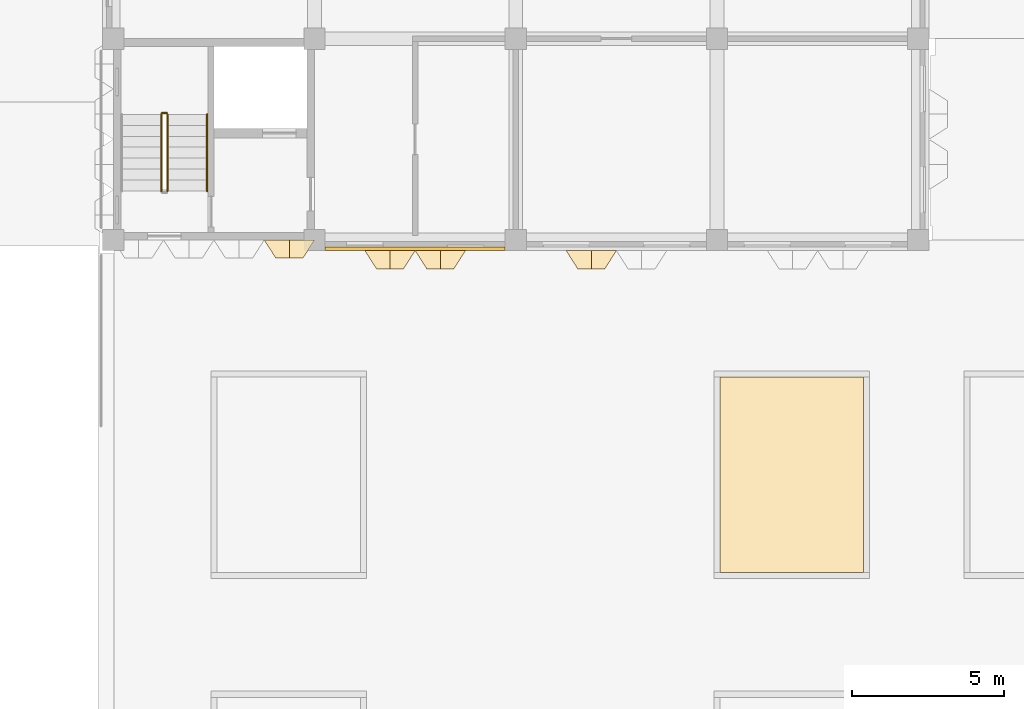
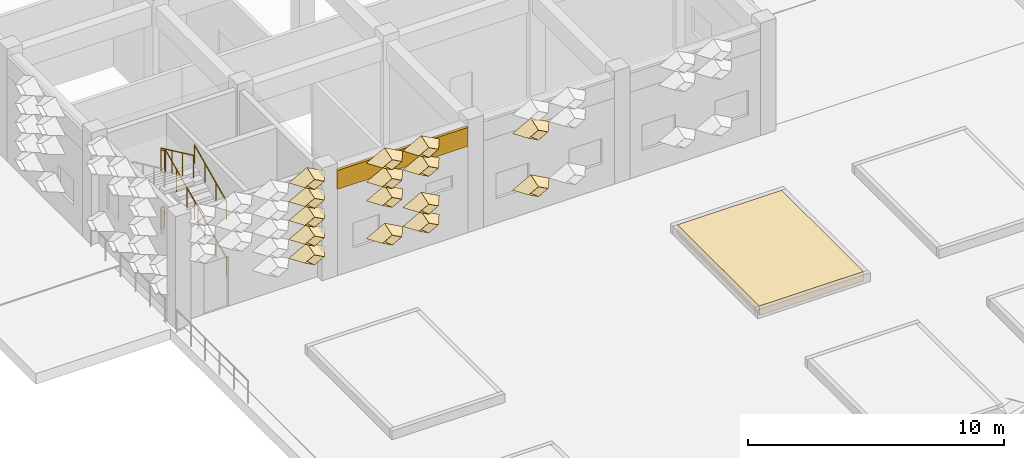
# One storey, part 56 of 85: 17 coverings, 6 railings.
"""IFC4 building model written with IfcOpenShell, lengths in metres."""

from ifc_helpers import new_model, entity, si_unit, direction, frame, frame_2d, origin, origin_2d, place, context, subcontext, project, spatial, polyline, rectangle, circle, outline, extrude, material, layer, layer_set, type_object, element, save


model = new_model("IFC4")

# Units and contexts
model_context = context("Model", 3, precision=1e-05, world=origin(), true_north=direction((0.0, 1.0)))
body_context = subcontext(model_context, "Body", "Model", "MODEL_VIEW")
ifc_project = project(units=[si_unit("LENGTHUNIT", "METRE"), si_unit("AREAUNIT", "SQUARE_METRE"), si_unit("VOLUMEUNIT", "CUBIC_METRE"), si_unit("PLANEANGLEUNIT", "RADIAN"), si_unit("MASSUNIT", "GRAM", prefix="KILO")], contexts=[model_context])

# Site, building, storey
site_placement = place(None, origin())
site = spatial("IfcSite", under=ifc_project, at=site_placement, CompositionType="ELEMENT")
building_placement = place(site_placement, origin())
building = spatial("IfcBuilding", under=site, at=building_placement, Name="Lantern Court Research Institute", CompositionType="ELEMENT")
storey_placement = place(building_placement, origin())
storey = spatial("IfcBuildingStorey", under=building, at=storey_placement, Name="L00", CompositionType="ELEMENT", Elevation=0.0)

# Coverings
ifc_material_1 = material(Name="Aluminium composite panel with mineral wool insulation", Category="aluminium")
ifc_layer_1 = layer(ifc_material_1, 0.125)
ifc_layer_set_1 = layer_set([ifc_layer_1], Name="Aluminium composite panel with mineral wool insulation")
covering_type_1 = type_object("IfcCoveringType", Name="Edge fascia panel 125 aluminium faced", PredefinedType="CLADDING", material=ifc_layer_set_1)
covering_1_placement = place(storey_placement, frame((12.85009765625, 49.21240234375, 4.14990234375), z_axis=(0.0, 0.0, 1.0), x_axis=(-1.0, 0.0, 0.0)))
element("IfcCovering", 1, at=covering_1_placement, inside=storey, type_object=covering_type_1, Name="Edge fascia V3S L00 01", PredefinedType="CLADDING", context=body_context, shape_type="SweptSolid", body=[
    extrude(rectangle(XDim=5.900146484375, YDim=0.125, at=frame_2d((2.9501953125, 0.0))), origin(), (0.0, 0.0, 1.0), 0.900146484375),
])
ifc_material_2 = material(Name="Anodised aluminium", Category="aluminium")
ifc_layer_2 = layer(ifc_material_2, 0.01611328125)
ifc_layer_set_2 = layer_set([ifc_layer_2], Name="Anodised aluminium")
covering_type_2 = type_object("IfcCoveringType", Name="Fin cassette 1650 x 900 x 600 aluminium", PredefinedType="CLADDING", material=ifc_layer_set_2)
covering_2_placement = place(storey_placement, frame((5.77490234375, 49.5, 1.35009765625), z_axis=(0.0, -1.0, 0.0), x_axis=(1.0, 0.0, 0.0)))
cartesian_point_1 = entity("IfcCartesianPoint", [0.824951171875, 0.0])
cartesian_point_2 = entity("IfcCartesianPoint", [0.79150390625, 0.0])
cartesian_point_3 = entity("IfcCartesianPoint", [0.44189453125, 0.0])
cartesian_point_4 = entity("IfcCartesianPoint", [0.43359375, 0.0])
element("IfcCovering", 2, at=covering_2_placement, inside=storey, type_object=covering_type_2, Name="Fin cassette V3S-L00 2.4", PredefinedType="CLADDING", context=body_context, shape_type="SweptSolid", body=[
    entity("IfcExtrudedAreaSolidTapered", entity("IfcArbitraryProfileDefWithVoids", "AREA", None, entity("IfcPolyline", [cartesian_point_1, entity("IfcCartesianPoint", [0.0, 0.449951171875]), entity("IfcCartesianPoint", [-0.824951171875, 0.0]), entity("IfcCartesianPoint", [0.0, -0.449951171875]), cartesian_point_1]), [entity("IfcPolyline", [cartesian_point_2, entity("IfcCartesianPoint", [0.0, 0.431884765625]), entity("IfcCartesianPoint", [-0.79150390625, 0.0]), entity("IfcCartesianPoint", [0.0, -0.431884765625]), cartesian_point_2])]), entity("IfcAxis2Placement3D", entity("IfcCartesianPoint", [0.0, 0.0, 0.0])), entity("IfcDirection", [0.0, 0.0, 1.0]), 0.60009765625, entity("IfcArbitraryProfileDefWithVoids", "AREA", None, entity("IfcPolyline", [cartesian_point_3, entity("IfcCartesianPoint", [0.0, 0.240966796875]), entity("IfcCartesianPoint", [-0.44189453125, 0.0]), entity("IfcCartesianPoint", [0.0, -0.240966796875]), cartesian_point_3]), [entity("IfcPolyline", [cartesian_point_4, entity("IfcCartesianPoint", [0.0, 0.236572265625]), entity("IfcCartesianPoint", [-0.43359375, 0.0]), entity("IfcCartesianPoint", [0.0, -0.236572265625]), cartesian_point_4])])),
])
covering_3_placement = place(storey_placement, frame((5.77490234375, 49.5, 2.25), z_axis=(0.0, -1.0, 0.0), x_axis=(1.0, 0.0, 0.0)))
cartesian_point_5 = entity("IfcCartesianPoint", [0.824951171875, 0.0])
cartesian_point_6 = entity("IfcCartesianPoint", [0.79150390625, 0.0])
cartesian_point_7 = entity("IfcCartesianPoint", [0.44189453125, 0.0])
cartesian_point_8 = entity("IfcCartesianPoint", [0.43359375, 0.0])
element("IfcCovering", 3, at=covering_3_placement, inside=storey, type_object=covering_type_2, Name="Fin cassette V3S-L00 3.4", PredefinedType="CLADDING", context=body_context, shape_type="SweptSolid", body=[
    entity("IfcExtrudedAreaSolidTapered", entity("IfcArbitraryProfileDefWithVoids", "AREA", None, entity("IfcPolyline", [cartesian_point_5, entity("IfcCartesianPoint", [0.0, 0.449951171875]), entity("IfcCartesianPoint", [-0.824951171875, 0.0]), entity("IfcCartesianPoint", [0.0, -0.449951171875]), cartesian_point_5]), [entity("IfcPolyline", [cartesian_point_6, entity("IfcCartesianPoint", [0.0, 0.431884765625]), entity("IfcCartesianPoint", [-0.79150390625, 0.0]), entity("IfcCartesianPoint", [0.0, -0.431884765625]), cartesian_point_6])]), entity("IfcAxis2Placement3D", entity("IfcCartesianPoint", [0.0, 0.0, 0.0])), entity("IfcDirection", [0.0, 0.0, 1.0]), 0.60009765625, entity("IfcArbitraryProfileDefWithVoids", "AREA", None, entity("IfcPolyline", [cartesian_point_7, entity("IfcCartesianPoint", [0.0, 0.240966796875]), entity("IfcCartesianPoint", [-0.44189453125, 0.0]), entity("IfcCartesianPoint", [0.0, -0.240966796875]), cartesian_point_7]), [entity("IfcPolyline", [cartesian_point_8, entity("IfcCartesianPoint", [0.0, 0.236572265625]), entity("IfcCartesianPoint", [-0.43359375, 0.0]), entity("IfcCartesianPoint", [0.0, -0.236572265625]), cartesian_point_8])])),
])
covering_4_placement = place(storey_placement, frame((5.77490234375, 49.5, 3.14990234375), z_axis=(0.0, -1.0, 0.0), x_axis=(1.0, 0.0, 0.0)))
cartesian_point_9 = entity("IfcCartesianPoint", [0.824951171875, 0.0])
cartesian_point_10 = entity("IfcCartesianPoint", [0.79150390625, 0.0])
cartesian_point_11 = entity("IfcCartesianPoint", [0.44189453125, 0.0])
cartesian_point_12 = entity("IfcCartesianPoint", [0.43359375, 0.0])
element("IfcCovering", 4, at=covering_4_placement, inside=storey, type_object=covering_type_2, Name="Fin cassette V3S-L00 4.4", PredefinedType="CLADDING", context=body_context, shape_type="SweptSolid", body=[
    entity("IfcExtrudedAreaSolidTapered", entity("IfcArbitraryProfileDefWithVoids", "AREA", None, entity("IfcPolyline", [cartesian_point_9, entity("IfcCartesianPoint", [0.0, 0.449951171875]), entity("IfcCartesianPoint", [-0.824951171875, 0.0]), entity("IfcCartesianPoint", [0.0, -0.449951171875]), cartesian_point_9]), [entity("IfcPolyline", [cartesian_point_10, entity("IfcCartesianPoint", [0.0, 0.431884765625]), entity("IfcCartesianPoint", [-0.79150390625, 0.0]), entity("IfcCartesianPoint", [0.0, -0.431884765625]), cartesian_point_10])]), entity("IfcAxis2Placement3D", entity("IfcCartesianPoint", [0.0, 0.0, 0.0])), entity("IfcDirection", [0.0, 0.0, 1.0]), 0.60009765625, entity("IfcArbitraryProfileDefWithVoids", "AREA", None, entity("IfcPolyline", [cartesian_point_11, entity("IfcCartesianPoint", [0.0, 0.240966796875]), entity("IfcCartesianPoint", [-0.44189453125, 0.0]), entity("IfcCartesianPoint", [0.0, -0.240966796875]), cartesian_point_11]), [entity("IfcPolyline", [cartesian_point_12, entity("IfcCartesianPoint", [0.0, 0.236572265625]), entity("IfcCartesianPoint", [-0.43359375, 0.0]), entity("IfcCartesianPoint", [0.0, -0.236572265625]), cartesian_point_12])])),
])
covering_5_placement = place(storey_placement, frame((5.77490234375, 49.5, 4.050048828125), z_axis=(0.0, -1.0, 0.0), x_axis=(1.0, 0.0, 0.0)))
cartesian_point_13 = entity("IfcCartesianPoint", [0.824951171875, 0.0])
cartesian_point_14 = entity("IfcCartesianPoint", [0.79150390625, 0.0])
cartesian_point_15 = entity("IfcCartesianPoint", [0.44189453125, 0.0])
cartesian_point_16 = entity("IfcCartesianPoint", [0.43359375, 0.0])
element("IfcCovering", 5, at=covering_5_placement, inside=storey, type_object=covering_type_2, Name="Fin cassette V3S-L00 5.4", PredefinedType="CLADDING", context=body_context, shape_type="SweptSolid", body=[
    entity("IfcExtrudedAreaSolidTapered", entity("IfcArbitraryProfileDefWithVoids", "AREA", None, entity("IfcPolyline", [cartesian_point_13, entity("IfcCartesianPoint", [0.0, 0.449951171875]), entity("IfcCartesianPoint", [-0.824951171875, 0.0]), entity("IfcCartesianPoint", [0.0, -0.449951171875]), cartesian_point_13]), [entity("IfcPolyline", [cartesian_point_14, entity("IfcCartesianPoint", [0.0, 0.431884765625]), entity("IfcCartesianPoint", [-0.79150390625, 0.0]), entity("IfcCartesianPoint", [0.0, -0.431884765625]), cartesian_point_14])]), entity("IfcAxis2Placement3D", entity("IfcCartesianPoint", [0.0, 0.0, 0.0])), entity("IfcDirection", [0.0, 0.0, 1.0]), 0.60009765625, entity("IfcArbitraryProfileDefWithVoids", "AREA", None, entity("IfcPolyline", [cartesian_point_15, entity("IfcCartesianPoint", [0.0, 0.240966796875]), entity("IfcCartesianPoint", [-0.44189453125, 0.0]), entity("IfcCartesianPoint", [0.0, -0.240966796875]), cartesian_point_15]), [entity("IfcPolyline", [cartesian_point_16, entity("IfcCartesianPoint", [0.0, 0.236572265625]), entity("IfcCartesianPoint", [-0.43359375, 0.0]), entity("IfcCartesianPoint", [0.0, -0.236572265625]), cartesian_point_16])])),
])
covering_6_placement = place(storey_placement, frame((5.77490234375, 49.5, 4.949951171875), z_axis=(0.0, -1.0, 0.0), x_axis=(1.0, 0.0, 0.0)))
cartesian_point_17 = entity("IfcCartesianPoint", [0.824951171875, 0.0])
cartesian_point_18 = entity("IfcCartesianPoint", [0.79150390625, 0.0])
cartesian_point_19 = entity("IfcCartesianPoint", [0.44189453125, 0.0])
cartesian_point_20 = entity("IfcCartesianPoint", [0.43359375, 0.0])
element("IfcCovering", 6, at=covering_6_placement, inside=storey, type_object=covering_type_2, Name="Fin cassette V3S-L00 6.4", PredefinedType="CLADDING", context=body_context, shape_type="SweptSolid", body=[
    entity("IfcExtrudedAreaSolidTapered", entity("IfcArbitraryProfileDefWithVoids", "AREA", None, entity("IfcPolyline", [cartesian_point_17, entity("IfcCartesianPoint", [0.0, 0.449951171875]), entity("IfcCartesianPoint", [-0.824951171875, 0.0]), entity("IfcCartesianPoint", [0.0, -0.449951171875]), cartesian_point_17]), [entity("IfcPolyline", [cartesian_point_18, entity("IfcCartesianPoint", [0.0, 0.431884765625]), entity("IfcCartesianPoint", [-0.79150390625, 0.0]), entity("IfcCartesianPoint", [0.0, -0.431884765625]), cartesian_point_18])]), entity("IfcAxis2Placement3D", entity("IfcCartesianPoint", [0.0, 0.0, 0.0])), entity("IfcDirection", [0.0, 0.0, 1.0]), 0.60009765625, entity("IfcArbitraryProfileDefWithVoids", "AREA", None, entity("IfcPolyline", [cartesian_point_19, entity("IfcCartesianPoint", [0.0, 0.240966796875]), entity("IfcCartesianPoint", [-0.44189453125, 0.0]), entity("IfcCartesianPoint", [0.0, -0.240966796875]), cartesian_point_19]), [entity("IfcPolyline", [cartesian_point_20, entity("IfcCartesianPoint", [0.0, 0.236572265625]), entity("IfcCartesianPoint", [-0.43359375, 0.0]), entity("IfcCartesianPoint", [0.0, -0.236572265625]), cartesian_point_20])])),
])
covering_7_placement = place(storey_placement, frame((9.074951171875, 49.14990234375, 1.35009765625), z_axis=(0.0, -1.0, 0.0), x_axis=(1.0, 0.0, 0.0)))
cartesian_point_21 = entity("IfcCartesianPoint", [0.824951171875, 0.0])
cartesian_point_22 = entity("IfcCartesianPoint", [0.79150390625, 0.0])
cartesian_point_23 = entity("IfcCartesianPoint", [0.44189453125, 0.0])
cartesian_point_24 = entity("IfcCartesianPoint", [0.43359375, 0.0])
element("IfcCovering", 7, at=covering_7_placement, inside=storey, type_object=covering_type_2, Name="Fin cassette V3S-L00 2.6", PredefinedType="CLADDING", context=body_context, shape_type="SweptSolid", body=[
    entity("IfcExtrudedAreaSolidTapered", entity("IfcArbitraryProfileDefWithVoids", "AREA", None, entity("IfcPolyline", [cartesian_point_21, entity("IfcCartesianPoint", [0.0, 0.449951171875]), entity("IfcCartesianPoint", [-0.824951171875, 0.0]), entity("IfcCartesianPoint", [0.0, -0.449951171875]), cartesian_point_21]), [entity("IfcPolyline", [cartesian_point_22, entity("IfcCartesianPoint", [0.0, 0.431884765625]), entity("IfcCartesianPoint", [-0.79150390625, 0.0]), entity("IfcCartesianPoint", [0.0, -0.431884765625]), cartesian_point_22])]), entity("IfcAxis2Placement3D", entity("IfcCartesianPoint", [0.0, 0.0, 0.0])), entity("IfcDirection", [0.0, 0.0, 1.0]), 0.60009765625, entity("IfcArbitraryProfileDefWithVoids", "AREA", None, entity("IfcPolyline", [cartesian_point_23, entity("IfcCartesianPoint", [0.0, 0.240966796875]), entity("IfcCartesianPoint", [-0.44189453125, 0.0]), entity("IfcCartesianPoint", [0.0, -0.240966796875]), cartesian_point_23]), [entity("IfcPolyline", [cartesian_point_24, entity("IfcCartesianPoint", [0.0, 0.236572265625]), entity("IfcCartesianPoint", [-0.43359375, 0.0]), entity("IfcCartesianPoint", [0.0, -0.236572265625]), cartesian_point_24])])),
])
covering_8_placement = place(storey_placement, frame((10.72509765625, 49.14990234375, 1.35009765625), z_axis=(0.0, -1.0, 0.0), x_axis=(1.0, 0.0, 0.0)))
cartesian_point_25 = entity("IfcCartesianPoint", [0.824951171875, 0.0])
cartesian_point_26 = entity("IfcCartesianPoint", [0.79150390625, 0.0])
cartesian_point_27 = entity("IfcCartesianPoint", [0.44189453125, 0.0])
cartesian_point_28 = entity("IfcCartesianPoint", [0.43359375, 0.0])
element("IfcCovering", 8, at=covering_8_placement, inside=storey, type_object=covering_type_2, Name="Fin cassette V3S-L00 2.7", PredefinedType="CLADDING", context=body_context, shape_type="SweptSolid", body=[
    entity("IfcExtrudedAreaSolidTapered", entity("IfcArbitraryProfileDefWithVoids", "AREA", None, entity("IfcPolyline", [cartesian_point_25, entity("IfcCartesianPoint", [0.0, 0.449951171875]), entity("IfcCartesianPoint", [-0.824951171875, 0.0]), entity("IfcCartesianPoint", [0.0, -0.449951171875]), cartesian_point_25]), [entity("IfcPolyline", [cartesian_point_26, entity("IfcCartesianPoint", [0.0, 0.431884765625]), entity("IfcCartesianPoint", [-0.79150390625, 0.0]), entity("IfcCartesianPoint", [0.0, -0.431884765625]), cartesian_point_26])]), entity("IfcAxis2Placement3D", entity("IfcCartesianPoint", [0.0, 0.0, 0.0])), entity("IfcDirection", [0.0, 0.0, 1.0]), 0.60009765625, entity("IfcArbitraryProfileDefWithVoids", "AREA", None, entity("IfcPolyline", [cartesian_point_27, entity("IfcCartesianPoint", [0.0, 0.240966796875]), entity("IfcCartesianPoint", [-0.44189453125, 0.0]), entity("IfcCartesianPoint", [0.0, -0.240966796875]), cartesian_point_27]), [entity("IfcPolyline", [cartesian_point_28, entity("IfcCartesianPoint", [0.0, 0.236572265625]), entity("IfcCartesianPoint", [-0.43359375, 0.0]), entity("IfcCartesianPoint", [0.0, -0.236572265625]), cartesian_point_28])])),
])
covering_9_placement = place(storey_placement, frame((15.675048828125, 49.14990234375, 1.35009765625), z_axis=(0.0, -1.0, 0.0), x_axis=(1.0, 0.0, 0.0)))
cartesian_point_29 = entity("IfcCartesianPoint", [0.824951171875, 0.0])
cartesian_point_30 = entity("IfcCartesianPoint", [0.79150390625, 0.0])
cartesian_point_31 = entity("IfcCartesianPoint", [0.44189453125, 0.0])
cartesian_point_32 = entity("IfcCartesianPoint", [0.43359375, 0.0])
element("IfcCovering", 9, at=covering_9_placement, inside=storey, type_object=covering_type_2, Name="Fin cassette V3S-L00 2.10", PredefinedType="CLADDING", context=body_context, shape_type="SweptSolid", body=[
    entity("IfcExtrudedAreaSolidTapered", entity("IfcArbitraryProfileDefWithVoids", "AREA", None, entity("IfcPolyline", [cartesian_point_29, entity("IfcCartesianPoint", [0.0, 0.449951171875]), entity("IfcCartesianPoint", [-0.824951171875, 0.0]), entity("IfcCartesianPoint", [0.0, -0.449951171875]), cartesian_point_29]), [entity("IfcPolyline", [cartesian_point_30, entity("IfcCartesianPoint", [0.0, 0.431884765625]), entity("IfcCartesianPoint", [-0.79150390625, 0.0]), entity("IfcCartesianPoint", [0.0, -0.431884765625]), cartesian_point_30])]), entity("IfcAxis2Placement3D", entity("IfcCartesianPoint", [0.0, 0.0, 0.0])), entity("IfcDirection", [0.0, 0.0, 1.0]), 0.60009765625, entity("IfcArbitraryProfileDefWithVoids", "AREA", None, entity("IfcPolyline", [cartesian_point_31, entity("IfcCartesianPoint", [0.0, 0.240966796875]), entity("IfcCartesianPoint", [-0.44189453125, 0.0]), entity("IfcCartesianPoint", [0.0, -0.240966796875]), cartesian_point_31]), [entity("IfcPolyline", [cartesian_point_32, entity("IfcCartesianPoint", [0.0, 0.236572265625]), entity("IfcCartesianPoint", [-0.43359375, 0.0]), entity("IfcCartesianPoint", [0.0, -0.236572265625]), cartesian_point_32])])),
])
covering_10_placement = place(storey_placement, frame((10.72509765625, 49.14990234375, 2.25), z_axis=(0.0, -1.0, 0.0), x_axis=(1.0, 0.0, 0.0)))
cartesian_point_33 = entity("IfcCartesianPoint", [0.824951171875, 0.0])
cartesian_point_34 = entity("IfcCartesianPoint", [0.79150390625, 0.0])
cartesian_point_35 = entity("IfcCartesianPoint", [0.44189453125, 0.0])
cartesian_point_36 = entity("IfcCartesianPoint", [0.43359375, 0.0])
element("IfcCovering", 10, at=covering_10_placement, inside=storey, type_object=covering_type_2, Name="Fin cassette V3S-L00 3.7", PredefinedType="CLADDING", context=body_context, shape_type="SweptSolid", body=[
    entity("IfcExtrudedAreaSolidTapered", entity("IfcArbitraryProfileDefWithVoids", "AREA", None, entity("IfcPolyline", [cartesian_point_33, entity("IfcCartesianPoint", [0.0, 0.449951171875]), entity("IfcCartesianPoint", [-0.824951171875, 0.0]), entity("IfcCartesianPoint", [0.0, -0.449951171875]), cartesian_point_33]), [entity("IfcPolyline", [cartesian_point_34, entity("IfcCartesianPoint", [0.0, 0.431884765625]), entity("IfcCartesianPoint", [-0.79150390625, 0.0]), entity("IfcCartesianPoint", [0.0, -0.431884765625]), cartesian_point_34])]), entity("IfcAxis2Placement3D", entity("IfcCartesianPoint", [0.0, 0.0, 0.0])), entity("IfcDirection", [0.0, 0.0, 1.0]), 0.60009765625, entity("IfcArbitraryProfileDefWithVoids", "AREA", None, entity("IfcPolyline", [cartesian_point_35, entity("IfcCartesianPoint", [0.0, 0.240966796875]), entity("IfcCartesianPoint", [-0.44189453125, 0.0]), entity("IfcCartesianPoint", [0.0, -0.240966796875]), cartesian_point_35]), [entity("IfcPolyline", [cartesian_point_36, entity("IfcCartesianPoint", [0.0, 0.236572265625]), entity("IfcCartesianPoint", [-0.43359375, 0.0]), entity("IfcCartesianPoint", [0.0, -0.236572265625]), cartesian_point_36])])),
])
covering_11_placement = place(storey_placement, frame((9.074951171875, 49.14990234375, 3.14990234375), z_axis=(0.0, -1.0, 0.0), x_axis=(1.0, 0.0, 0.0)))
cartesian_point_37 = entity("IfcCartesianPoint", [0.824951171875, 0.0])
cartesian_point_38 = entity("IfcCartesianPoint", [0.79150390625, 0.0])
cartesian_point_39 = entity("IfcCartesianPoint", [0.44189453125, 0.0])
cartesian_point_40 = entity("IfcCartesianPoint", [0.43359375, 0.0])
element("IfcCovering", 11, at=covering_11_placement, inside=storey, type_object=covering_type_2, Name="Fin cassette V3S-L00 4.6", PredefinedType="CLADDING", context=body_context, shape_type="SweptSolid", body=[
    entity("IfcExtrudedAreaSolidTapered", entity("IfcArbitraryProfileDefWithVoids", "AREA", None, entity("IfcPolyline", [cartesian_point_37, entity("IfcCartesianPoint", [0.0, 0.449951171875]), entity("IfcCartesianPoint", [-0.824951171875, 0.0]), entity("IfcCartesianPoint", [0.0, -0.449951171875]), cartesian_point_37]), [entity("IfcPolyline", [cartesian_point_38, entity("IfcCartesianPoint", [0.0, 0.431884765625]), entity("IfcCartesianPoint", [-0.79150390625, 0.0]), entity("IfcCartesianPoint", [0.0, -0.431884765625]), cartesian_point_38])]), entity("IfcAxis2Placement3D", entity("IfcCartesianPoint", [0.0, 0.0, 0.0])), entity("IfcDirection", [0.0, 0.0, 1.0]), 0.60009765625, entity("IfcArbitraryProfileDefWithVoids", "AREA", None, entity("IfcPolyline", [cartesian_point_39, entity("IfcCartesianPoint", [0.0, 0.240966796875]), entity("IfcCartesianPoint", [-0.44189453125, 0.0]), entity("IfcCartesianPoint", [0.0, -0.240966796875]), cartesian_point_39]), [entity("IfcPolyline", [cartesian_point_40, entity("IfcCartesianPoint", [0.0, 0.236572265625]), entity("IfcCartesianPoint", [-0.43359375, 0.0]), entity("IfcCartesianPoint", [0.0, -0.236572265625]), cartesian_point_40])])),
])
covering_12_placement = place(storey_placement, frame((9.074951171875, 49.14990234375, 4.050048828125), z_axis=(0.0, -1.0, 0.0), x_axis=(1.0, 0.0, 0.0)))
cartesian_point_41 = entity("IfcCartesianPoint", [0.824951171875, 0.0])
cartesian_point_42 = entity("IfcCartesianPoint", [0.79150390625, 0.0])
cartesian_point_43 = entity("IfcCartesianPoint", [0.44189453125, 0.0])
cartesian_point_44 = entity("IfcCartesianPoint", [0.43359375, 0.0])
element("IfcCovering", 12, at=covering_12_placement, inside=storey, type_object=covering_type_2, Name="Fin cassette V3S-L00 5.6", PredefinedType="CLADDING", context=body_context, shape_type="SweptSolid", body=[
    entity("IfcExtrudedAreaSolidTapered", entity("IfcArbitraryProfileDefWithVoids", "AREA", None, entity("IfcPolyline", [cartesian_point_41, entity("IfcCartesianPoint", [0.0, 0.449951171875]), entity("IfcCartesianPoint", [-0.824951171875, 0.0]), entity("IfcCartesianPoint", [0.0, -0.449951171875]), cartesian_point_41]), [entity("IfcPolyline", [cartesian_point_42, entity("IfcCartesianPoint", [0.0, 0.431884765625]), entity("IfcCartesianPoint", [-0.79150390625, 0.0]), entity("IfcCartesianPoint", [0.0, -0.431884765625]), cartesian_point_42])]), entity("IfcAxis2Placement3D", entity("IfcCartesianPoint", [0.0, 0.0, 0.0])), entity("IfcDirection", [0.0, 0.0, 1.0]), 0.60009765625, entity("IfcArbitraryProfileDefWithVoids", "AREA", None, entity("IfcPolyline", [cartesian_point_43, entity("IfcCartesianPoint", [0.0, 0.240966796875]), entity("IfcCartesianPoint", [-0.44189453125, 0.0]), entity("IfcCartesianPoint", [0.0, -0.240966796875]), cartesian_point_43]), [entity("IfcPolyline", [cartesian_point_44, entity("IfcCartesianPoint", [0.0, 0.236572265625]), entity("IfcCartesianPoint", [-0.43359375, 0.0]), entity("IfcCartesianPoint", [0.0, -0.236572265625]), cartesian_point_44])])),
])
covering_13_placement = place(storey_placement, frame((10.72509765625, 49.14990234375, 4.050048828125), z_axis=(0.0, -1.0, 0.0), x_axis=(1.0, 0.0, 0.0)))
cartesian_point_45 = entity("IfcCartesianPoint", [0.824951171875, 0.0])
cartesian_point_46 = entity("IfcCartesianPoint", [0.79150390625, 0.0])
cartesian_point_47 = entity("IfcCartesianPoint", [0.44189453125, 0.0])
cartesian_point_48 = entity("IfcCartesianPoint", [0.43359375, 0.0])
element("IfcCovering", 13, at=covering_13_placement, inside=storey, type_object=covering_type_2, Name="Fin cassette V3S-L00 5.7", PredefinedType="CLADDING", context=body_context, shape_type="SweptSolid", body=[
    entity("IfcExtrudedAreaSolidTapered", entity("IfcArbitraryProfileDefWithVoids", "AREA", None, entity("IfcPolyline", [cartesian_point_45, entity("IfcCartesianPoint", [0.0, 0.449951171875]), entity("IfcCartesianPoint", [-0.824951171875, 0.0]), entity("IfcCartesianPoint", [0.0, -0.449951171875]), cartesian_point_45]), [entity("IfcPolyline", [cartesian_point_46, entity("IfcCartesianPoint", [0.0, 0.431884765625]), entity("IfcCartesianPoint", [-0.79150390625, 0.0]), entity("IfcCartesianPoint", [0.0, -0.431884765625]), cartesian_point_46])]), entity("IfcAxis2Placement3D", entity("IfcCartesianPoint", [0.0, 0.0, 0.0])), entity("IfcDirection", [0.0, 0.0, 1.0]), 0.60009765625, entity("IfcArbitraryProfileDefWithVoids", "AREA", None, entity("IfcPolyline", [cartesian_point_47, entity("IfcCartesianPoint", [0.0, 0.240966796875]), entity("IfcCartesianPoint", [-0.44189453125, 0.0]), entity("IfcCartesianPoint", [0.0, -0.240966796875]), cartesian_point_47]), [entity("IfcPolyline", [cartesian_point_48, entity("IfcCartesianPoint", [0.0, 0.236572265625]), entity("IfcCartesianPoint", [-0.43359375, 0.0]), entity("IfcCartesianPoint", [0.0, -0.236572265625]), cartesian_point_48])])),
])
covering_14_placement = place(storey_placement, frame((15.675048828125, 49.14990234375, 4.050048828125), z_axis=(0.0, -1.0, 0.0), x_axis=(1.0, 0.0, 0.0)))
cartesian_point_49 = entity("IfcCartesianPoint", [0.824951171875, 0.0])
cartesian_point_50 = entity("IfcCartesianPoint", [0.79150390625, 0.0])
cartesian_point_51 = entity("IfcCartesianPoint", [0.44189453125, 0.0])
cartesian_point_52 = entity("IfcCartesianPoint", [0.43359375, 0.0])
element("IfcCovering", 14, at=covering_14_placement, inside=storey, type_object=covering_type_2, Name="Fin cassette V3S-L00 5.10", PredefinedType="CLADDING", context=body_context, shape_type="SweptSolid", body=[
    entity("IfcExtrudedAreaSolidTapered", entity("IfcArbitraryProfileDefWithVoids", "AREA", None, entity("IfcPolyline", [cartesian_point_49, entity("IfcCartesianPoint", [0.0, 0.449951171875]), entity("IfcCartesianPoint", [-0.824951171875, 0.0]), entity("IfcCartesianPoint", [0.0, -0.449951171875]), cartesian_point_49]), [entity("IfcPolyline", [cartesian_point_50, entity("IfcCartesianPoint", [0.0, 0.431884765625]), entity("IfcCartesianPoint", [-0.79150390625, 0.0]), entity("IfcCartesianPoint", [0.0, -0.431884765625]), cartesian_point_50])]), entity("IfcAxis2Placement3D", entity("IfcCartesianPoint", [0.0, 0.0, 0.0])), entity("IfcDirection", [0.0, 0.0, 1.0]), 0.60009765625, entity("IfcArbitraryProfileDefWithVoids", "AREA", None, entity("IfcPolyline", [cartesian_point_51, entity("IfcCartesianPoint", [0.0, 0.240966796875]), entity("IfcCartesianPoint", [-0.44189453125, 0.0]), entity("IfcCartesianPoint", [0.0, -0.240966796875]), cartesian_point_51]), [entity("IfcPolyline", [cartesian_point_52, entity("IfcCartesianPoint", [0.0, 0.236572265625]), entity("IfcCartesianPoint", [-0.43359375, 0.0]), entity("IfcCartesianPoint", [0.0, -0.236572265625]), cartesian_point_52])])),
])
covering_15_placement = place(storey_placement, frame((9.074951171875, 49.14990234375, 4.949951171875), z_axis=(0.0, -1.0, 0.0), x_axis=(1.0, 0.0, 0.0)))
cartesian_point_53 = entity("IfcCartesianPoint", [0.824951171875, 0.0])
cartesian_point_54 = entity("IfcCartesianPoint", [0.79150390625, 0.0])
cartesian_point_55 = entity("IfcCartesianPoint", [0.44189453125, 0.0])
cartesian_point_56 = entity("IfcCartesianPoint", [0.43359375, 0.0])
element("IfcCovering", 15, at=covering_15_placement, inside=storey, type_object=covering_type_2, Name="Fin cassette V3S-L00 6.6", PredefinedType="CLADDING", context=body_context, shape_type="SweptSolid", body=[
    entity("IfcExtrudedAreaSolidTapered", entity("IfcArbitraryProfileDefWithVoids", "AREA", None, entity("IfcPolyline", [cartesian_point_53, entity("IfcCartesianPoint", [0.0, 0.449951171875]), entity("IfcCartesianPoint", [-0.824951171875, 0.0]), entity("IfcCartesianPoint", [0.0, -0.449951171875]), cartesian_point_53]), [entity("IfcPolyline", [cartesian_point_54, entity("IfcCartesianPoint", [0.0, 0.431884765625]), entity("IfcCartesianPoint", [-0.79150390625, 0.0]), entity("IfcCartesianPoint", [0.0, -0.431884765625]), cartesian_point_54])]), entity("IfcAxis2Placement3D", entity("IfcCartesianPoint", [0.0, 0.0, 0.0])), entity("IfcDirection", [0.0, 0.0, 1.0]), 0.60009765625, entity("IfcArbitraryProfileDefWithVoids", "AREA", None, entity("IfcPolyline", [cartesian_point_55, entity("IfcCartesianPoint", [0.0, 0.240966796875]), entity("IfcCartesianPoint", [-0.44189453125, 0.0]), entity("IfcCartesianPoint", [0.0, -0.240966796875]), cartesian_point_55]), [entity("IfcPolyline", [cartesian_point_56, entity("IfcCartesianPoint", [0.0, 0.236572265625]), entity("IfcCartesianPoint", [-0.43359375, 0.0]), entity("IfcCartesianPoint", [0.0, -0.236572265625]), cartesian_point_56])])),
])
covering_16_placement = place(storey_placement, frame((10.72509765625, 49.14990234375, 4.949951171875), z_axis=(0.0, -1.0, 0.0), x_axis=(1.0, 0.0, 0.0)))
cartesian_point_57 = entity("IfcCartesianPoint", [0.824951171875, 0.0])
cartesian_point_58 = entity("IfcCartesianPoint", [0.79150390625, 0.0])
cartesian_point_59 = entity("IfcCartesianPoint", [0.44189453125, 0.0])
cartesian_point_60 = entity("IfcCartesianPoint", [0.43359375, 0.0])
element("IfcCovering", 16, at=covering_16_placement, inside=storey, type_object=covering_type_2, Name="Fin cassette V3S-L00 6.7", PredefinedType="CLADDING", context=body_context, shape_type="SweptSolid", body=[
    entity("IfcExtrudedAreaSolidTapered", entity("IfcArbitraryProfileDefWithVoids", "AREA", None, entity("IfcPolyline", [cartesian_point_57, entity("IfcCartesianPoint", [0.0, 0.449951171875]), entity("IfcCartesianPoint", [-0.824951171875, 0.0]), entity("IfcCartesianPoint", [0.0, -0.449951171875]), cartesian_point_57]), [entity("IfcPolyline", [cartesian_point_58, entity("IfcCartesianPoint", [0.0, 0.431884765625]), entity("IfcCartesianPoint", [-0.79150390625, 0.0]), entity("IfcCartesianPoint", [0.0, -0.431884765625]), cartesian_point_58])]), entity("IfcAxis2Placement3D", entity("IfcCartesianPoint", [0.0, 0.0, 0.0])), entity("IfcDirection", [0.0, 0.0, 1.0]), 0.60009765625, entity("IfcArbitraryProfileDefWithVoids", "AREA", None, entity("IfcPolyline", [cartesian_point_59, entity("IfcCartesianPoint", [0.0, 0.240966796875]), entity("IfcCartesianPoint", [-0.44189453125, 0.0]), entity("IfcCartesianPoint", [0.0, -0.240966796875]), cartesian_point_59]), [entity("IfcPolyline", [cartesian_point_60, entity("IfcCartesianPoint", [0.0, 0.236572265625]), entity("IfcCartesianPoint", [-0.43359375, 0.0]), entity("IfcCartesianPoint", [0.0, -0.236572265625]), cartesian_point_60])])),
])
ifc_material_3 = material(Name="Planting soil")
ifc_layer_3 = layer(ifc_material_3, 0.449951171875)
ifc_layer_set_3 = layer_set([ifc_layer_3], Name="Planting soil")
covering_type_3 = type_object("IfcCoveringType", Name="Planting soil 450 mm", PredefinedType="FLOORING", material=ifc_layer_set_3)
covering_17_placement = place(storey_placement, origin())
element("IfcCovering", 17, at=covering_17_placement, inside=storey, type_object=covering_type_3, Name="Planting bed court 4", PredefinedType="FLOORING", context=body_context, shape_type="SweptSolid", body=[
    extrude(outline(polyline([(19.89990234375, 38.60009765625), (24.60009765625, 38.60009765625), (24.60009765625, 45.0), (19.89990234375, 45.0), (19.89990234375, 38.60009765625)])), origin(), (0.0, 0.0, 1.0), 0.449951171875),
])

# Railings
ifc_material_4 = material(Name="Structural steel S355", Category="steel")
railing_type_1 = type_object("IfcRailingType", Name="Stair guard 1100 steel", PredefinedType="GUARDRAIL", material=ifc_material_4)
railing_1_placement = place(storey_placement, frame((1.75, 53.669921875, 1.35009765625)))
element("IfcRailing", 18, at=railing_1_placement, inside=storey, type_object=railing_type_1, Name="L00 ST-C1 stair guard 2", PredefinedType="GUARDRAIL", context=body_context, shape_type="SweptSolid", body=[
    extrude(circle(Radius=0.02392578125, at=origin_2d()), frame((0.0, 0.0, 1.076171875), z_axis=(-1.0, 0.0, 0.0), x_axis=(0.0, -1.0, 0.0)), (0.0, 0.0, 1.0), 0.14990234375),
    extrude(circle(Radius=0.02099609375, at=origin_2d()), origin(), (0.0, 0.0, 1.0), 1.052001953125),
    extrude(circle(Radius=0.02099609375, at=origin_2d()), frame((-0.14990234375, 0.0, 0.0)), (0.0, 0.0, 1.0), 1.052001953125),
])
railing_2_placement = place(storey_placement, frame((1.77490234375, 51.10009765625, 2.86865234375)))
element("IfcRailing", 19, at=railing_2_placement, inside=storey, type_object=railing_type_1, Name="L00 ST-C1 stair guard 5", PredefinedType="GUARDRAIL", context=body_context, shape_type="SweptSolid", body=[
    extrude(circle(Radius=0.02392578125, at=origin_2d()), frame((0.0, 0.0, 1.076171875), z_axis=(0.0, 0.905439972488, 0.424474329284), x_axis=(-1.0, 0.0, 0.0)), (0.0, 0.0, 1.0), 2.783203125),
    extrude(circle(Radius=0.02099609375, at=origin_2d()), origin(), (0.0, 0.0, 1.0), 1.052001953125),
    extrude(circle(Radius=0.02099609375, at=origin_2d()), frame((0.0, 0.840087890625, 0.393798828125)), (0.0, 0.0, 1.0), 1.052001953125),
    extrude(circle(Radius=0.02099609375, at=origin_2d()), frame((0.0, 1.679931640625, 0.78759765625)), (0.0, 0.0, 1.0), 1.052001953125),
    extrude(circle(Radius=0.02099609375, at=origin_2d()), frame((0.0, 2.52001953125, 1.181396484375)), (0.0, 0.0, 1.0), 1.052001953125),
])
railing_3_placement = place(storey_placement, frame((1.75, 53.669921875, 4.050048828125)))
element("IfcRailing", 20, at=railing_3_placement, inside=storey, type_object=railing_type_1, Name="L00 ST-C1 stair guard 6", PredefinedType="GUARDRAIL", context=body_context, shape_type="SweptSolid", body=[
    extrude(circle(Radius=0.02392578125, at=origin_2d()), frame((0.0, 0.0, 1.076171875), z_axis=(-1.0, 0.0, 0.0), x_axis=(0.0, -1.0, 0.0)), (0.0, 0.0, 1.0), 0.14990234375),
    extrude(circle(Radius=0.02099609375, at=origin_2d()), origin(), (0.0, 0.0, 1.0), 1.052001953125),
    extrude(circle(Radius=0.02099609375, at=origin_2d()), frame((-0.14990234375, 0.0, 0.0)), (0.0, 0.0, 1.0), 1.052001953125),
])
railing_4_placement = place(storey_placement, frame((1.574951171875, 53.6201171875, 4.21875)))
element("IfcRailing", 21, at=railing_4_placement, inside=storey, type_object=railing_type_1, Name="L00 ST-C1 stair guard 7", PredefinedType="GUARDRAIL", context=body_context, shape_type="SweptSolid", body=[
    extrude(circle(Radius=0.02392578125, at=origin_2d()), frame((0.0, 0.0, 1.076171875), z_axis=(0.0, -0.905473684625, 0.424402410988), x_axis=(1.0, 0.0, 0.0)), (0.0, 0.0, 1.0), 2.783203125),
    extrude(circle(Radius=0.02099609375, at=origin_2d()), origin(), (0.0, 0.0, 1.0), 1.052001953125),
    extrude(circle(Radius=0.02099609375, at=origin_2d()), frame((0.0, -0.840087890625, 0.393798828125)), (0.0, 0.0, 1.0), 1.052001953125),
    extrude(circle(Radius=0.02099609375, at=origin_2d()), frame((0.0, -1.679931640625, 0.787353515625)), (0.0, 0.0, 1.0), 1.052001953125),
    extrude(circle(Radius=0.02099609375, at=origin_2d()), frame((0.0, -2.52001953125, 1.18115234375)), (0.0, 0.0, 1.0), 1.052001953125),
])
ifc_material_5 = material(Name="Stainless steel 316", Category="steel")
railing_type_2 = type_object("IfcRailingType", Name="Stair handrail 900 steel", PredefinedType="HANDRAIL", material=ifc_material_5)
for number, where, name in (
    (22, (3.074951171875, 51.10009765625, 0.168701171875), "L00 ST-C1 stair handrail 1"),
    (23, (3.074951171875, 51.10009765625, 2.86865234375), "L00 ST-C1 stair handrail 3"),
):
    element("IfcRailing", number, at=place(storey_placement, frame(where)), inside=storey, type_object=railing_type_2, Name=name, PredefinedType="HANDRAIL", context=body_context, shape_type="SweptSolid", body=[
        extrude(circle(Radius=0.02392578125, at=origin_2d()), frame((0.0, 0.0, 0.8759765625), z_axis=(0.0, 0.905439972488, 0.424474329284), x_axis=(-1.0, 0.0, 0.0)), (0.0, 0.0, 1.0), 2.783203125),
        extrude(circle(Radius=0.02099609375, at=origin_2d()), origin(), (0.0, 0.0, 1.0), 0.851806640625),
        extrude(circle(Radius=0.02099609375, at=origin_2d()), frame((0.0, 0.840087890625, 0.393798828125)), (0.0, 0.0, 1.0), 0.851806640625),
        extrude(circle(Radius=0.02099609375, at=origin_2d()), frame((0.0, 1.679931640625, 0.78759765625)), (0.0, 0.0, 1.0), 0.851806640625),
        extrude(circle(Radius=0.02099609375, at=origin_2d()), frame((0.0, 2.52001953125, 1.181396484375)), (0.0, 0.0, 1.0), 0.851806640625),
    ])

save(model, "model.ifc")
